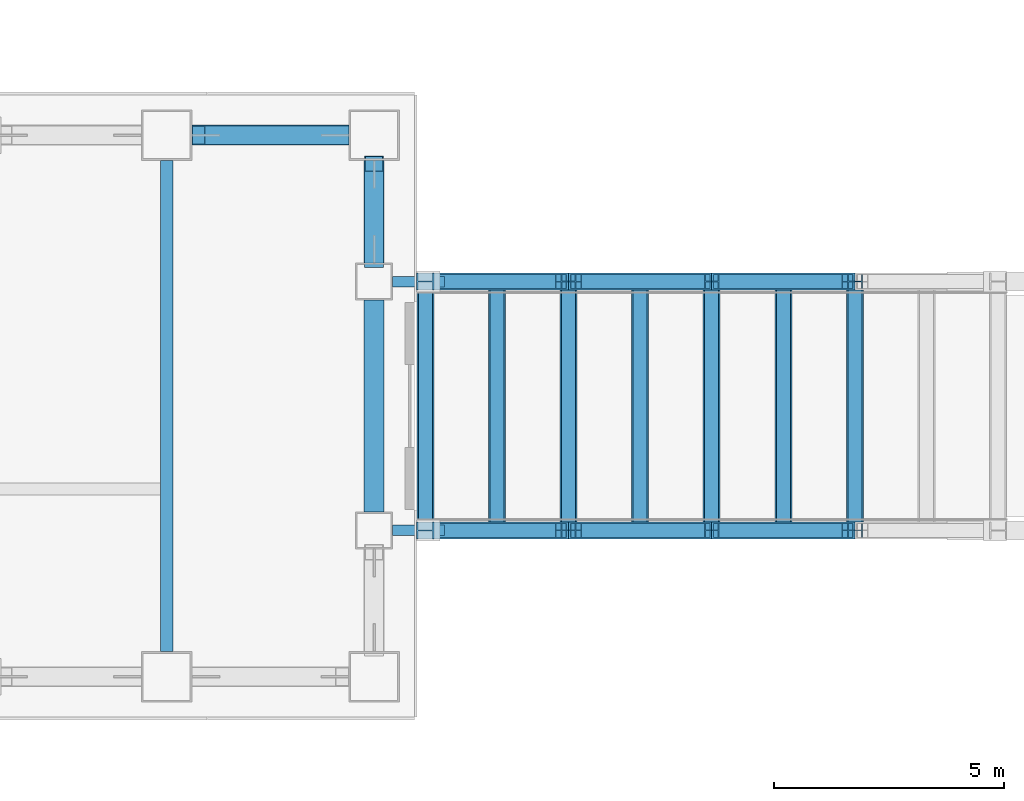
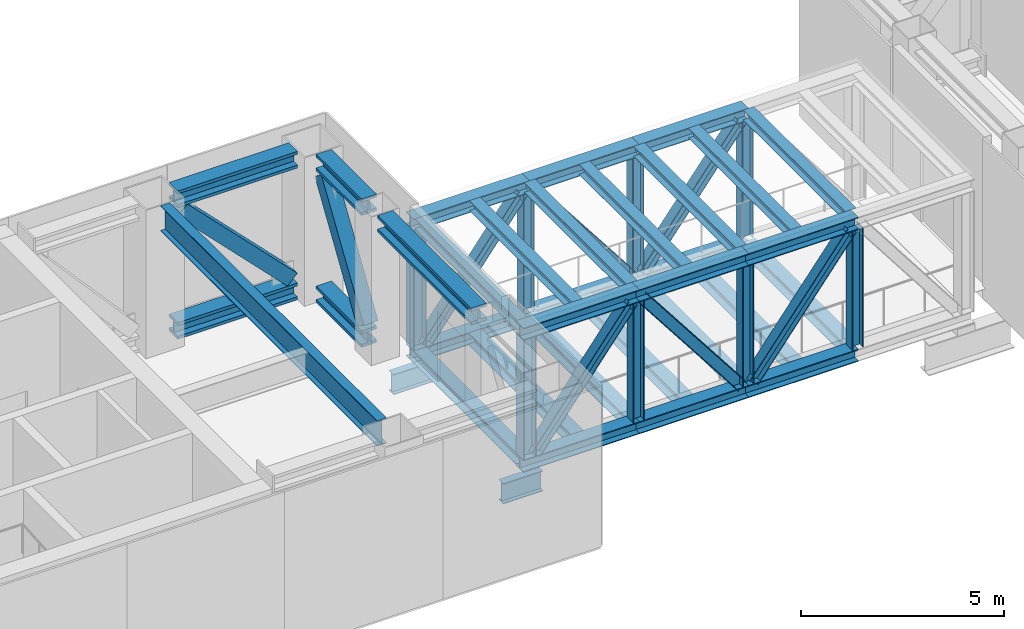
# One storey, part 4 of 21: 35 members, 15 beams.
"""IFC4 building model written with IfcOpenShell, lengths in metres."""

from ifc_helpers import new_model, si_unit, direction, frame, origin, origin_2d, place, context, subcontext, project, spatial, hollow_rectangle, i_section, extrude, material, material_profile, profile_set, type_object, element, save


model = new_model("IFC4")

# Units and contexts
model_context = context("Model", 3, precision=1e-05, world=origin(), true_north=direction((0.0, 1.0)))
body_context = subcontext(model_context, "Body", "Model", "MODEL_VIEW")
ifc_project = project(units=[si_unit("LENGTHUNIT", "METRE"), si_unit("AREAUNIT", "SQUARE_METRE"), si_unit("VOLUMEUNIT", "CUBIC_METRE"), si_unit("PLANEANGLEUNIT", "RADIAN"), si_unit("MASSUNIT", "GRAM", prefix="KILO")], contexts=[model_context])

# Site, building, storey
site_placement = place(None, origin())
site = spatial("IfcSite", under=ifc_project, at=site_placement, CompositionType="ELEMENT")
building_placement = place(site_placement, origin())
building = spatial("IfcBuilding", under=site, at=building_placement, Name="Shamsa Quay Exchange Towers", CompositionType="ELEMENT")
storey_placement = place(building_placement, frame((0.0, 0.0, 177.89990234375)))
storey = spatial("IfcBuildingStorey", under=building, at=storey_placement, Name="L42", CompositionType="ELEMENT", Elevation=177.89990234375)

# Members
ifc_material = material(Name="Steel S355", Category="steel")
ifc_material_profile_1 = material_profile(ifc_material, i_section(OverallWidth=0.22900390625, OverallDepth=0.612060546875, WebThickness=0.011962890625, FlangeThickness=0.01953125, at=origin_2d()), Name="W24x84")
ifc_profile_set_1 = profile_set([ifc_material_profile_1], Name="Steel S355")
member_type_1 = type_object("IfcMemberType", Name="Bearing seat W24x84", PredefinedType="USERDEFINED", material=ifc_profile_set_1)
for number, where, z_axis, x_axis, name in (
    (1, (-4.97509765625, -2.699951171875, -1.023681640625), (1.0, 0.0, 0.0), (0.0, 1.0, 0.0), "Bearing seat BR3 T1 S"),
    (2, (-4.97509765625, 2.699951171875, -1.023681640625), (1.0, 0.0, 0.0), (0.0, 1.0, 0.0), "Bearing seat BR3 T1 N"),
):
    element("IfcMember", number, at=place(storey_placement, frame(where, z_axis=z_axis, x_axis=x_axis)), inside=storey, type_object=member_type_1, Name=name, ObjectType="BEARING SEAT", PredefinedType="USERDEFINED", context=body_context, shape_type="SweptSolid", body=[
        extrude(i_section(OverallWidth=0.22900390625, OverallDepth=0.612060546875, WebThickness=0.011962890625, FlangeThickness=0.01953125, at=origin_2d()), origin(), (0.0, 0.0, 1.0), 1.125),
    ])
ifc_material_profile_2 = material_profile(ifc_material, i_section(OverallWidth=0.43212890625, OverallDepth=0.497802734375, WebThickness=0.0556640625, FlangeThickness=0.0888671875, at=origin_2d()), Name="W14x500")
ifc_profile_set_2 = profile_set([ifc_material_profile_2], Name="Steel S355")
member_type_2 = type_object("IfcMemberType", Name="Belt chord W14x500", PredefinedType="CHORD", material=ifc_profile_set_2)
for number, where, z_axis, x_axis, name in (
    (3, (-5.375, 3.10009765625, 4.201171875), (0.0, 1.0, 0.0), (-1.0, 0.0, 0.0), "Belt truss chord T1 L42 12"),
    (4, (-5.375, 3.10009765625, 0.2490234375), (0.0, 1.0, 0.0), (-1.0, 0.0, 0.0), "Belt truss chord T1 L42 12"),
):
    element("IfcMember", number, at=place(storey_placement, frame(where, z_axis=z_axis, x_axis=x_axis)), inside=storey, type_object=member_type_2, Name=name, PredefinedType="CHORD", context=body_context, shape_type="SweptSolid", body=[
        extrude(i_section(OverallWidth=0.43212890625, OverallDepth=0.497802734375, WebThickness=0.0556640625, FlangeThickness=0.0888671875, at=origin_2d()), origin(), (0.0, 0.0, 1.0), 2.224853515625),
    ])
member_1_placement = place(storey_placement, frame((-5.375, -2.300048828125, 4.201171875), z_axis=(0.0, 1.0, 0.0), x_axis=(-1.0, 0.0, 0.0)))
element("IfcMember", 5, at=member_1_placement, inside=storey, type_object=member_type_2, Name="Belt truss chord T1 L42 13", PredefinedType="CHORD", context=body_context, shape_type="SweptSolid", body=[
    extrude(i_section(OverallWidth=0.43212890625, OverallDepth=0.497802734375, WebThickness=0.0556640625, FlangeThickness=0.0888671875, at=origin_2d()), origin(), (0.0, 0.0, 1.0), 4.60009765625),
])
for number, where, z_axis, x_axis, name in (
    (6, (-5.925048828125, 5.875, 4.201171875), (-1.0, 0.0, 0.0), (0.0, -1.0, 0.0), "Belt truss chord T1 L42 14"),
    (7, (-5.925048828125, 5.875, 0.2490234375), (-1.0, 0.0, 0.0), (0.0, -1.0, 0.0), "Belt truss chord T1 L42 14"),
):
    element("IfcMember", number, at=place(storey_placement, frame(where, z_axis=z_axis, x_axis=x_axis)), inside=storey, type_object=member_type_2, Name=name, PredefinedType="CHORD", context=body_context, shape_type="SweptSolid", body=[
        extrude(i_section(OverallWidth=0.43212890625, OverallDepth=0.497802734375, WebThickness=0.0556640625, FlangeThickness=0.0888671875, at=origin_2d()), origin(), (0.0, 0.0, 1.0), 3.39990234375),
    ])
ifc_material_profile_3 = material_profile(ifc_material, hollow_rectangle(XDim=0.406494140625, YDim=0.406494140625, WallThickness=0.015869140625, at=origin_2d()), Name="HSS16x16x5/8")
ifc_profile_set_3 = profile_set([ifc_material_profile_3], Name="Steel S355")
member_type_3 = type_object("IfcMemberType", Name="Belt diagonal HSS16x16x5/8", PredefinedType="BRACE", material=ifc_profile_set_3)
member_2_placement = place(storey_placement, frame((-5.375, 3.1708984375, 0.60791015625), z_axis=(0.0, 0.541495064821, 0.840703928131), x_axis=(-1.0, 0.0, 0.0)))
element("IfcMember", 8, at=member_2_placement, inside=storey, type_object=member_type_3, Name="Belt truss diagonal T1 L42 12", PredefinedType="BRACE", context=body_context, shape_type="SweptSolid", body=[
    extrude(hollow_rectangle(XDim=0.406494140625, YDim=0.406494140625, WallThickness=0.015869140625, at=origin_2d()), origin(), (0.0, 0.0, 1.0), 3.84716796875),
])
member_3_placement = place(storey_placement, frame((-6.065185546875, 5.875, 0.640380859375), z_axis=(-0.701485026186, 0.0, 0.712684192358), x_axis=(0.0, -1.0, 0.0)))
element("IfcMember", 9, at=member_3_placement, inside=storey, type_object=member_type_3, Name="Belt truss diagonal T1 L42 14", PredefinedType="BRACE", context=body_context, shape_type="SweptSolid", body=[
    extrude(hollow_rectangle(XDim=0.406494140625, YDim=0.406494140625, WallThickness=0.015869140625, at=origin_2d()), origin(), (0.0, 0.0, 1.0), 4.447265625),
])

# Beam
ifc_material_profile_4 = material_profile(ifc_material, i_section(OverallWidth=0.26611328125, OverallDepth=0.7578125, WebThickness=0.013916015625, FlangeThickness=0.019287109375, at=origin_2d()), Name="W30x108")
ifc_profile_set_4 = profile_set([ifc_material_profile_4], Name="Steel S355")
beam_type_1 = type_object("IfcBeamType", Name="End-zone beam W30x108", PredefinedType="BEAM", material=ifc_profile_set_4)
beam_placement = place(storey_placement, frame((-9.875, -5.324951171875, 4.0712890625), z_axis=(0.0, 1.0, 0.0), x_axis=(-1.0, 0.0, 0.0)))
element("IfcBeam", 10, at=beam_placement, inside=storey, type_object=beam_type_1, Name="End beam T1 U+ end zone L42", PredefinedType="BEAM", context=body_context, shape_type="SweptSolid", body=[
    extrude(i_section(OverallWidth=0.26611328125, OverallDepth=0.7578125, WebThickness=0.013916015625, FlangeThickness=0.019287109375, at=origin_2d()), origin(), (0.0, 0.0, 1.0), 10.64990234375),
])

# Members
ifc_material_profile_5 = material_profile(ifc_material, i_section(OverallWidth=0.37255859375, OverallDepth=0.367919921875, WebThickness=0.014892578125, FlangeThickness=0.02392578125, at=origin_2d()), Name="W14x120")
ifc_profile_set_5 = profile_set([ifc_material_profile_5], Name="Steel S355")
member_type_4 = type_object("IfcMemberType", Name="Skybridge chord W14x120", PredefinedType="CHORD", material=ifc_profile_set_5)
member_4_placement = place(storey_placement, frame((-4.449951171875, -2.699951171875, 3.6240234375), z_axis=(1.0, 0.0, 0.0), x_axis=(0.0, 1.0, 0.0)))
element("IfcMember", 11, at=member_4_placement, inside=storey, type_object=member_type_4, Name="Skybridge BR3 truss S top chord", PredefinedType="CHORD", context=body_context, shape_type="SweptSolid", body=[
    extrude(i_section(OverallWidth=0.37255859375, OverallDepth=0.367919921875, WebThickness=0.014892578125, FlangeThickness=0.02392578125, at=origin_2d()), origin(), (0.0, 0.0, 1.0), 3.29296875),
])
for number, where, z_axis, x_axis, name in (
    (12, (-1.156982421875, -2.699951171875, 3.6240234375), (1.0, 0.0, 0.0), (0.0, 1.0, 0.0), "Skybridge BR3 truss S top chord"),
    (13, (1.949951171875, -2.699951171875, 3.6240234375), (1.0, 0.0, 0.0), (0.0, 1.0, 0.0), "Skybridge BR3 truss S top chord"),
):
    element("IfcMember", number, at=place(storey_placement, frame(where, z_axis=z_axis, x_axis=x_axis)), inside=storey, type_object=member_type_4, Name=name, PredefinedType="CHORD", context=body_context, shape_type="SweptSolid", body=[
        extrude(i_section(OverallWidth=0.37255859375, OverallDepth=0.367919921875, WebThickness=0.014892578125, FlangeThickness=0.02392578125, at=origin_2d()), origin(), (0.0, 0.0, 1.0), 3.10693359375),
    ])
member_5_placement = place(storey_placement, frame((-4.449951171875, -2.699951171875, -0.333740234375), z_axis=(1.0, 0.0, 0.0), x_axis=(0.0, 1.0, 0.0)))
element("IfcMember", 14, at=member_5_placement, inside=storey, type_object=member_type_4, Name="Skybridge BR3 truss S bottom chord", PredefinedType="CHORD", context=body_context, shape_type="SweptSolid", body=[
    extrude(i_section(OverallWidth=0.37255859375, OverallDepth=0.367919921875, WebThickness=0.014892578125, FlangeThickness=0.02392578125, at=origin_2d()), origin(), (0.0, 0.0, 1.0), 3.29296875),
])
for number, where, z_axis, x_axis, name in (
    (15, (-1.156982421875, -2.699951171875, -0.333740234375), (1.0, 0.0, 0.0), (0.0, 1.0, 0.0), "Skybridge BR3 truss S bottom chord"),
    (16, (1.949951171875, -2.699951171875, -0.333740234375), (1.0, 0.0, 0.0), (0.0, 1.0, 0.0), "Skybridge BR3 truss S bottom chord"),
):
    element("IfcMember", number, at=place(storey_placement, frame(where, z_axis=z_axis, x_axis=x_axis)), inside=storey, type_object=member_type_4, Name=name, PredefinedType="CHORD", context=body_context, shape_type="SweptSolid", body=[
        extrude(i_section(OverallWidth=0.37255859375, OverallDepth=0.367919921875, WebThickness=0.014892578125, FlangeThickness=0.02392578125, at=origin_2d()), origin(), (0.0, 0.0, 1.0), 3.10693359375),
    ])
member_6_placement = place(storey_placement, frame((-4.449951171875, 2.699951171875, 3.6240234375), z_axis=(1.0, 0.0, 0.0), x_axis=(0.0, 1.0, 0.0)))
element("IfcMember", 17, at=member_6_placement, inside=storey, type_object=member_type_4, Name="Skybridge BR3 truss N top chord", PredefinedType="CHORD", context=body_context, shape_type="SweptSolid", body=[
    extrude(i_section(OverallWidth=0.37255859375, OverallDepth=0.367919921875, WebThickness=0.014892578125, FlangeThickness=0.02392578125, at=origin_2d()), origin(), (0.0, 0.0, 1.0), 3.29296875),
])
for number, where, z_axis, x_axis, name in (
    (18, (-1.156982421875, 2.699951171875, 3.6240234375), (1.0, 0.0, 0.0), (0.0, 1.0, 0.0), "Skybridge BR3 truss N top chord"),
    (19, (1.949951171875, 2.699951171875, 3.6240234375), (1.0, 0.0, 0.0), (0.0, 1.0, 0.0), "Skybridge BR3 truss N top chord"),
):
    element("IfcMember", number, at=place(storey_placement, frame(where, z_axis=z_axis, x_axis=x_axis)), inside=storey, type_object=member_type_4, Name=name, PredefinedType="CHORD", context=body_context, shape_type="SweptSolid", body=[
        extrude(i_section(OverallWidth=0.37255859375, OverallDepth=0.367919921875, WebThickness=0.014892578125, FlangeThickness=0.02392578125, at=origin_2d()), origin(), (0.0, 0.0, 1.0), 3.10693359375),
    ])
member_7_placement = place(storey_placement, frame((-4.449951171875, 2.699951171875, -0.333740234375), z_axis=(1.0, 0.0, 0.0), x_axis=(0.0, 1.0, 0.0)))
element("IfcMember", 20, at=member_7_placement, inside=storey, type_object=member_type_4, Name="Skybridge BR3 truss N bottom chord", PredefinedType="CHORD", context=body_context, shape_type="SweptSolid", body=[
    extrude(i_section(OverallWidth=0.37255859375, OverallDepth=0.367919921875, WebThickness=0.014892578125, FlangeThickness=0.02392578125, at=origin_2d()), origin(), (0.0, 0.0, 1.0), 3.29296875),
])
for number, where, z_axis, x_axis, name in (
    (21, (-1.156982421875, 2.699951171875, -0.333740234375), (1.0, 0.0, 0.0), (0.0, 1.0, 0.0), "Skybridge BR3 truss N bottom chord"),
    (22, (1.949951171875, 2.699951171875, -0.333740234375), (1.0, 0.0, 0.0), (0.0, 1.0, 0.0), "Skybridge BR3 truss N bottom chord"),
):
    element("IfcMember", number, at=place(storey_placement, frame(where, z_axis=z_axis, x_axis=x_axis)), inside=storey, type_object=member_type_4, Name=name, PredefinedType="CHORD", context=body_context, shape_type="SweptSolid", body=[
        extrude(i_section(OverallWidth=0.37255859375, OverallDepth=0.367919921875, WebThickness=0.014892578125, FlangeThickness=0.02392578125, at=origin_2d()), origin(), (0.0, 0.0, 1.0), 3.10693359375),
    ])
ifc_material_profile_6 = material_profile(ifc_material, i_section(OverallWidth=0.3046875, OverallDepth=0.307861328125, WebThickness=0.010009765625, FlangeThickness=0.015380859375, at=origin_2d()), Name="W12x65")
ifc_profile_set_6 = profile_set([ifc_material_profile_6], Name="Steel S355")
member_type_5 = type_object("IfcMemberType", Name="Skybridge diagonal W12x65", PredefinedType="BRACE", material=ifc_profile_set_6)
member_8_placement = place(storey_placement, frame((-4.07763671875, -2.699951171875, -0.14990234375), z_axis=(0.609387599693, 0.0, 0.792872469783), x_axis=(0.0, 1.0, 0.0)))
element("IfcMember", 23, at=member_8_placement, inside=storey, type_object=member_type_5, Name="Skybridge BR3 truss S diagonal", PredefinedType="BRACE", context=body_context, shape_type="SweptSolid", body=[
    extrude(i_section(OverallWidth=0.3046875, OverallDepth=0.307861328125, WebThickness=0.010009765625, FlangeThickness=0.015380859375, at=origin_2d()), origin(), (0.0, 0.0, 1.0), 4.52783203125),
])
for number, where, z_axis, x_axis, name in (
    (24, (-0.99560546875, -2.699951171875, 3.440185546875), (0.612827628247, 0.0, -0.790216614642), (0.0, 1.0, 0.0), "Skybridge BR3 truss S diagonal"),
    (25, (2.111328125, -2.699951171875, -0.14990234375), (0.612827628247, 0.0, 0.790216614642), (0.0, 1.0, 0.0), "Skybridge BR3 truss S diagonal"),
):
    element("IfcMember", number, at=place(storey_placement, frame(where, z_axis=z_axis, x_axis=x_axis)), inside=storey, type_object=member_type_5, Name=name, PredefinedType="BRACE", context=body_context, shape_type="SweptSolid", body=[
        extrude(i_section(OverallWidth=0.3046875, OverallDepth=0.307861328125, WebThickness=0.010009765625, FlangeThickness=0.015380859375, at=origin_2d()), origin(), (0.0, 0.0, 1.0), 4.543212890625),
    ])
member_9_placement = place(storey_placement, frame((-4.07763671875, 2.699951171875, -0.14990234375), z_axis=(0.609387599693, 0.0, 0.792872469783), x_axis=(0.0, 1.0, 0.0)))
element("IfcMember", 26, at=member_9_placement, inside=storey, type_object=member_type_5, Name="Skybridge BR3 truss N diagonal", PredefinedType="BRACE", context=body_context, shape_type="SweptSolid", body=[
    extrude(i_section(OverallWidth=0.3046875, OverallDepth=0.307861328125, WebThickness=0.010009765625, FlangeThickness=0.015380859375, at=origin_2d()), origin(), (0.0, 0.0, 1.0), 4.52783203125),
])
for number, where, z_axis, x_axis, name in (
    (27, (-0.99560546875, 2.699951171875, 3.440185546875), (0.612827628247, 0.0, -0.790216614642), (0.0, 1.0, 0.0), "Skybridge BR3 truss N diagonal"),
    (28, (2.111328125, 2.699951171875, -0.14990234375), (0.612827628247, 0.0, 0.790216614642), (0.0, 1.0, 0.0), "Skybridge BR3 truss N diagonal"),
):
    element("IfcMember", number, at=place(storey_placement, frame(where, z_axis=z_axis, x_axis=x_axis)), inside=storey, type_object=member_type_5, Name=name, PredefinedType="BRACE", context=body_context, shape_type="SweptSolid", body=[
        extrude(i_section(OverallWidth=0.3046875, OverallDepth=0.307861328125, WebThickness=0.010009765625, FlangeThickness=0.015380859375, at=origin_2d()), origin(), (0.0, 0.0, 1.0), 4.543212890625),
    ])
ifc_material_profile_7 = material_profile(ifc_material, i_section(OverallWidth=0.3740234375, OverallDepth=0.372314453125, WebThickness=0.016357421875, FlangeThickness=0.026123046875, at=origin_2d()), Name="W14x132")
ifc_profile_set_7 = profile_set([ifc_material_profile_7], Name="Steel S355")
member_type_6 = type_object("IfcMemberType", Name="Skybridge end post W14x132", PredefinedType="POST", material=ifc_profile_set_7)
for number, where, z_axis, x_axis, name in (
    (29, (-4.263916015625, -2.699951171875, -0.14990234375), (0.0, 0.0, 1.0), (0.0, 1.0, 0.0), "Skybridge BR3 truss S post"),
    (30, (-4.263916015625, 2.699951171875, -0.14990234375), (0.0, 0.0, 1.0), (0.0, 1.0, 0.0), "Skybridge BR3 truss N post"),
):
    element("IfcMember", number, at=place(storey_placement, frame(where, z_axis=z_axis, x_axis=x_axis)), inside=storey, type_object=member_type_6, Name=name, PredefinedType="POST", context=body_context, shape_type="SweptSolid", body=[
        extrude(i_section(OverallWidth=0.3740234375, OverallDepth=0.372314453125, WebThickness=0.016357421875, FlangeThickness=0.026123046875, at=origin_2d()), origin(), (0.0, 0.0, 1.0), 3.590087890625),
    ])

# Beams
ifc_material_profile_8 = material_profile(ifc_material, i_section(OverallWidth=0.368896484375, OverallDepth=0.356201171875, WebThickness=0.01123046875, FlangeThickness=0.01806640625, at=origin_2d()), Name="W14x90")
ifc_profile_set_8 = profile_set([ifc_material_profile_8], Name="Steel S355")
beam_type_2 = type_object("IfcBeamType", Name="Skybridge floor beam W14x90", PredefinedType="BEAM", material=ifc_profile_set_8)
for number, where, z_axis, x_axis, name in (
    (31, (-4.263916015625, -2.513671875, -0.327880859375), (0.0, 1.0, 0.0), (-1.0, 0.0, 0.0), "Skybridge BR3 floor beam"),
    (32, (-2.71044921875, -2.513671875, -0.327880859375), (0.0, 1.0, 0.0), (-1.0, 0.0, 0.0), "Skybridge BR3 floor beam"),
    (33, (-1.156982421875, -2.513671875, -0.327880859375), (0.0, 1.0, 0.0), (-1.0, 0.0, 0.0), "Skybridge BR3 floor beam"),
    (34, (0.396484375, -2.513671875, -0.327880859375), (0.0, 1.0, 0.0), (-1.0, 0.0, 0.0), "Skybridge BR3 floor beam"),
    (35, (1.949951171875, -2.513671875, -0.327880859375), (0.0, 1.0, 0.0), (-1.0, 0.0, 0.0), "Skybridge BR3 floor beam"),
    (36, (3.50341796875, -2.513671875, -0.327880859375), (0.0, 1.0, 0.0), (-1.0, 0.0, 0.0), "Skybridge BR3 floor beam"),
    (37, (5.056884765625, -2.513671875, -0.327880859375), (0.0, 1.0, 0.0), (-1.0, 0.0, 0.0), "Skybridge BR3 floor beam"),
):
    element("IfcBeam", number, at=place(storey_placement, frame(where, z_axis=z_axis, x_axis=x_axis)), inside=storey, type_object=beam_type_2, Name=name, PredefinedType="BEAM", context=body_context, shape_type="SweptSolid", body=[
        extrude(i_section(OverallWidth=0.368896484375, OverallDepth=0.356201171875, WebThickness=0.01123046875, FlangeThickness=0.01806640625, at=origin_2d()), origin(), (0.0, 0.0, 1.0), 5.02734375),
    ])

# Members
ifc_material_profile_9 = material_profile(ifc_material, i_section(OverallWidth=0.308837890625, OverallDepth=0.32275390625, WebThickness=0.013916015625, FlangeThickness=0.02294921875, at=origin_2d()), Name="W12x96")
ifc_profile_set_9 = profile_set([ifc_material_profile_9], Name="Steel S355")
member_type_7 = type_object("IfcMemberType", Name="Skybridge post W12x96", PredefinedType="POST", material=ifc_profile_set_9)
for number, where, z_axis, x_axis, name in (
    (38, (-1.156982421875, -2.699951171875, -0.14990234375), (0.0, 0.0, 1.0), (0.0, 1.0, 0.0), "Skybridge BR3 truss S post"),
    (39, (1.949951171875, -2.699951171875, -0.14990234375), (0.0, 0.0, 1.0), (0.0, 1.0, 0.0), "Skybridge BR3 truss S post"),
    (40, (5.056884765625, -2.699951171875, -0.14990234375), (0.0, 0.0, 1.0), (0.0, 1.0, 0.0), "Skybridge BR3 truss S post"),
    (41, (-1.156982421875, 2.699951171875, -0.14990234375), (0.0, 0.0, 1.0), (0.0, 1.0, 0.0), "Skybridge BR3 truss N post"),
    (42, (1.949951171875, 2.699951171875, -0.14990234375), (0.0, 0.0, 1.0), (0.0, 1.0, 0.0), "Skybridge BR3 truss N post"),
    (43, (5.056884765625, 2.699951171875, -0.14990234375), (0.0, 0.0, 1.0), (0.0, 1.0, 0.0), "Skybridge BR3 truss N post"),
):
    element("IfcMember", number, at=place(storey_placement, frame(where, z_axis=z_axis, x_axis=x_axis)), inside=storey, type_object=member_type_7, Name=name, PredefinedType="POST", context=body_context, shape_type="SweptSolid", body=[
        extrude(i_section(OverallWidth=0.308837890625, OverallDepth=0.32275390625, WebThickness=0.013916015625, FlangeThickness=0.02294921875, at=origin_2d()), origin(), (0.0, 0.0, 1.0), 3.590087890625),
    ])

# Beams
ifc_material_profile_10 = material_profile(ifc_material, i_section(OverallWidth=0.3046875, OverallDepth=0.307861328125, WebThickness=0.010009765625, FlangeThickness=0.015380859375, at=origin_2d()), Name="W12x65")
ifc_profile_set_10 = profile_set([ifc_material_profile_10], Name="Steel S355")
beam_type_3 = type_object("IfcBeamType", Name="Skybridge roof beam W12x65", PredefinedType="BEAM", material=ifc_profile_set_10)
for number, where, z_axis, x_axis, name in (
    (44, (-4.263916015625, -2.513671875, 3.654052734375), (0.0, 1.0, 0.0), (-1.0, 0.0, 0.0), "Skybridge BR3 roof beam"),
    (45, (-2.71044921875, -2.513671875, 3.654052734375), (0.0, 1.0, 0.0), (-1.0, 0.0, 0.0), "Skybridge BR3 roof beam"),
    (46, (-1.156982421875, -2.513671875, 3.654052734375), (0.0, 1.0, 0.0), (-1.0, 0.0, 0.0), "Skybridge BR3 roof beam"),
    (47, (0.396484375, -2.513671875, 3.654052734375), (0.0, 1.0, 0.0), (-1.0, 0.0, 0.0), "Skybridge BR3 roof beam"),
    (48, (1.949951171875, -2.513671875, 3.654052734375), (0.0, 1.0, 0.0), (-1.0, 0.0, 0.0), "Skybridge BR3 roof beam"),
    (49, (3.50341796875, -2.513671875, 3.654052734375), (0.0, 1.0, 0.0), (-1.0, 0.0, 0.0), "Skybridge BR3 roof beam"),
    (50, (5.056884765625, -2.513671875, 3.654052734375), (0.0, 1.0, 0.0), (-1.0, 0.0, 0.0), "Skybridge BR3 roof beam"),
):
    element("IfcBeam", number, at=place(storey_placement, frame(where, z_axis=z_axis, x_axis=x_axis)), inside=storey, type_object=beam_type_3, Name=name, PredefinedType="BEAM", context=body_context, shape_type="SweptSolid", body=[
        extrude(i_section(OverallWidth=0.3046875, OverallDepth=0.307861328125, WebThickness=0.010009765625, FlangeThickness=0.015380859375, at=origin_2d()), origin(), (0.0, 0.0, 1.0), 5.02734375),
    ])

save(model, "model.ifc")
